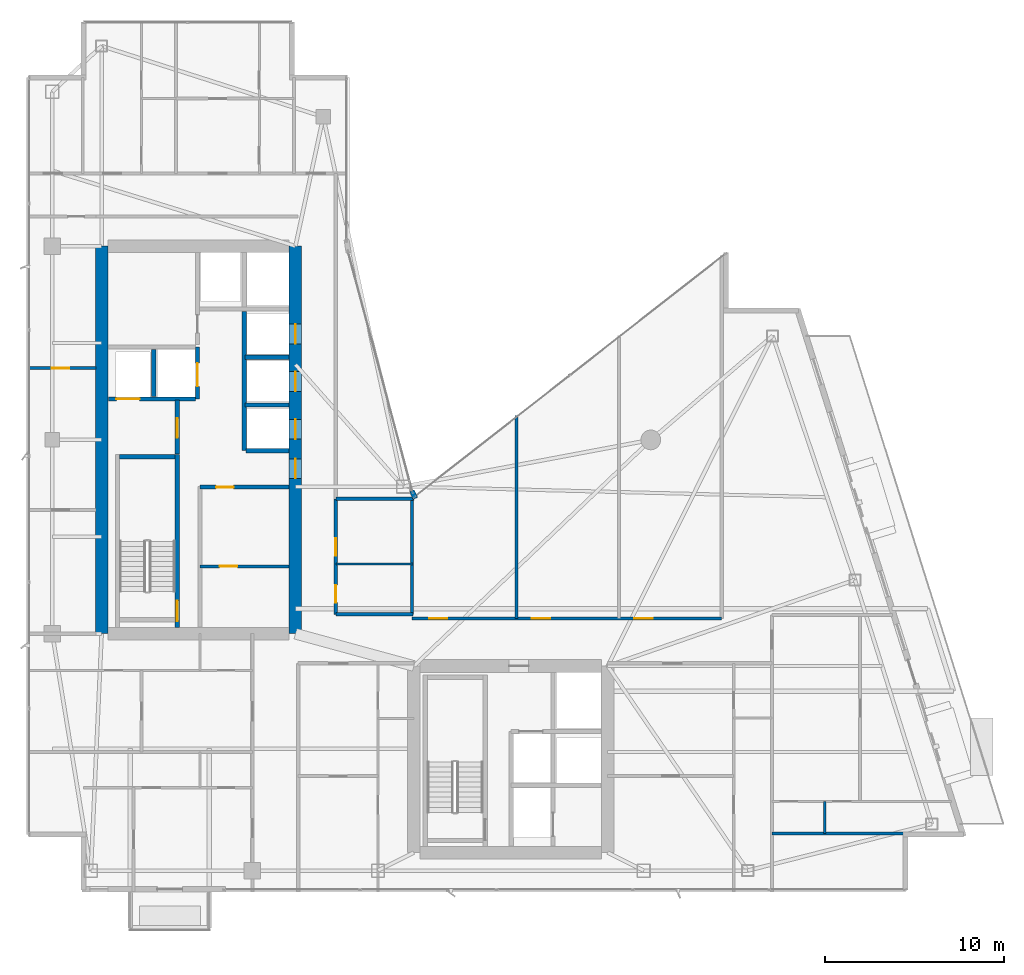
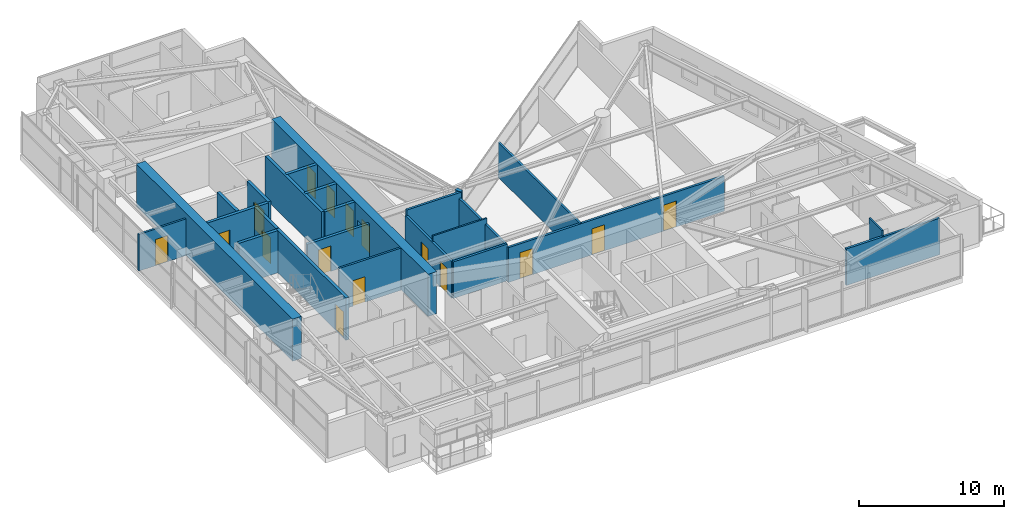
# One storey, part 24 of 29: 25 walls, 16 doors, 16 openings.
"""IFC4 building model written with IfcOpenShell, lengths in metres."""

from ifc_helpers import new_model, si_unit, direction, frame, frame_2d, origin, place, context, subcontext, project, spatial, rectangle, extrude, material, layer, layer_set, type_object, element, fill, save


model = new_model("IFC4")

# Units and contexts
model_context = context("Model", 3, precision=1e-05, world=origin(), true_north=direction((0.0, 1.0)))
body_context = subcontext(model_context, "Body", "Model", "MODEL_VIEW")
ifc_project = project(units=[si_unit("LENGTHUNIT", "METRE"), si_unit("AREAUNIT", "SQUARE_METRE"), si_unit("VOLUMEUNIT", "CUBIC_METRE"), si_unit("PLANEANGLEUNIT", "RADIAN"), si_unit("MASSUNIT", "GRAM", prefix="KILO")], contexts=[model_context])

# Site, building, storey
site_placement = place(None, origin())
site = spatial("IfcSite", under=ifc_project, at=site_placement, CompositionType="ELEMENT")
building_placement = place(site_placement, origin())
building = spatial("IfcBuilding", under=site, at=building_placement, Name="Calvorn Quay Hotel", CompositionType="ELEMENT")
storey_placement = place(building_placement, frame((0.0, 0.0, 199.60009765625)))
storey = spatial("IfcBuildingStorey", under=building, at=storey_placement, Name="L49", CompositionType="ELEMENT", Elevation=199.60009765625)

# Wall
ifc_material_1 = material(Name="Concrete C45", Category="concrete")
ifc_layer_1 = layer(ifc_material_1, 0.699951171875)
ifc_layer_set_1 = layer_set([ifc_layer_1], Name="WL-CORE-700")
wall_type_1 = type_object("IfcWallType", Name="WL-CORE-700", PredefinedType="SHEAR", material=ifc_layer_set_1)
wall_1_placement = place(storey_placement, frame((4.199951171875, 16.800048828125, 0.0), z_axis=(0.0, 0.0, 1.0), x_axis=(0.0, 1.0, 0.0)))
element("IfcWall", 1, at=wall_1_placement, inside=storey, type_object=wall_type_1, Name="West Core Shear Wall W (L49)", PredefinedType="SHEAR", context=body_context, shape_type="SweptSolid", body=[
    extrude(rectangle(XDim=21.599853515625, YDim=0.699951171875, at=frame_2d((10.7998046875, 0.0))), origin(), (0.0, 0.0, 1.0), 3.559814453125),
])

# Wall, openings, doors
wall_2_placement = place(storey_placement, frame((15.0, 16.800048828125, 0.0), z_axis=(0.0, 0.0, 1.0), x_axis=(0.0, 1.0, 0.0)))
wall_2 = element("IfcWall", 2, at=wall_2_placement, inside=storey, type_object=wall_type_1, Name="West Core Shear Wall E (L49)", PredefinedType="SHEAR", context=body_context, shape_type="SweptSolid", body=[
    extrude(rectangle(XDim=21.599853515625, YDim=0.699951171875, at=frame_2d((10.7998046875, 0.0))), origin(), (0.0, 0.0, 1.0), 3.559814453125),
])
opening_1_placement = place(wall_2_placement, frame((8.64990234375, 0.0, 0.0)))
opening_1 = element("IfcOpeningElement", 3, at=opening_1_placement, cuts=wall_2, Name="Opening D-L49-CW1", PredefinedType="OPENING", context=body_context, shape_type="SweptSolid", body=[
    extrude(rectangle(XDim=1.10009765625, YDim=2.199951171875, at=frame_2d((0.550048828125, 1.10009765625))), frame((0.0, 0.35986328125, 0.0), z_axis=(0.0, -1.0, 0.0), x_axis=(1.0, 0.0, 0.0)), (0.0, 0.0, 1.0), 0.719970703125),
])
opening_2_placement = place(wall_2_placement, frame((10.85009765625, 0.0, 0.0)))
opening_2 = element("IfcOpeningElement", 4, at=opening_2_placement, cuts=wall_2, Name="Opening LD-L49-M1", PredefinedType="OPENING", context=body_context, shape_type="SweptSolid", body=[
    extrude(rectangle(XDim=1.10009765625, YDim=2.199951171875, at=frame_2d((0.550048828125, 1.10009765625))), frame((0.0, 0.35986328125, 0.0), z_axis=(0.0, -1.0, 0.0), x_axis=(1.0, 0.0, 0.0)), (0.0, 0.0, 1.0), 0.719970703125),
])
opening_3_placement = place(wall_2_placement, frame((13.5, 0.0, 0.0)))
opening_3 = element("IfcOpeningElement", 5, at=opening_3_placement, cuts=wall_2, Name="Opening LD-L49-M2", PredefinedType="OPENING", context=body_context, shape_type="SweptSolid", body=[
    extrude(rectangle(XDim=1.10009765625, YDim=2.199951171875, at=frame_2d((0.550048828125, 1.10009765625))), frame((0.0, 0.35986328125, 0.0), z_axis=(0.0, -1.0, 0.0), x_axis=(1.0, 0.0, 0.0)), (0.0, 0.0, 1.0), 0.719970703125),
])
opening_4_placement = place(wall_2_placement, frame((16.14990234375, 0.0, 0.0)))
opening_4 = element("IfcOpeningElement", 6, at=opening_4_placement, cuts=wall_2, Name="Opening LD-L49-M3", PredefinedType="OPENING", context=body_context, shape_type="SweptSolid", body=[
    extrude(rectangle(XDim=1.10009765625, YDim=2.199951171875, at=frame_2d((0.550048828125, 1.10009765625))), frame((0.0, 0.35986328125, 0.0), z_axis=(0.0, -1.0, 0.0), x_axis=(1.0, 0.0, 0.0)), (0.0, 0.0, 1.0), 0.719970703125),
])
ifc_material_2 = material(Name="Smoke-Sealed Steel Class A Fire Door", Category="steel")
door_type_1 = type_object("IfcDoorType", Name="DR-FFLOBBY-1100", OperationType="NOTDEFINED", PredefinedType="DOOR", material=ifc_material_2)
door_1_placement = place(opening_1_placement, origin())
door_1 = element("IfcDoor", 7, at=door_1_placement, inside=storey, type_object=door_type_1, Name="West Core Vestibule Fire Door (L49)", OperationType="SINGLE_SWING_RIGHT", OverallHeight=2.199951171875, OverallWidth=1.10009765625, PredefinedType="DOOR", context=body_context, shape_type="SweptSolid", body=[
    extrude(rectangle(XDim=1.10009765625, YDim=2.199951171875, at=frame_2d((0.550048828125, 1.10009765625))), frame((0.0, 0.02490234375, 0.0), z_axis=(0.0, -1.0, 0.0), x_axis=(1.0, 0.0, 0.0)), (0.0, 0.0, 1.0), 0.050048828125),
])
fill(opening_1, door_1)
ifc_material_3 = material(Name="Brushed Stainless Steel Sliding Lift Landing Door", Category="steel")
door_type_2 = type_object("IfcDoorType", Name="DR-LIFT-PASS-1100", OperationType="NOTDEFINED", PredefinedType="DOOR", material=ifc_material_3)
door_2_placement = place(opening_2_placement, origin())
door_2 = element("IfcDoor", 8, at=door_2_placement, inside=storey, type_object=door_type_2, Name="Mid-Rise Lift PL-M1 Landing Door (L49)", OperationType="DOUBLE_DOOR_SLIDING", OverallHeight=2.199951171875, OverallWidth=1.10009765625, PredefinedType="DOOR", context=body_context, shape_type="SweptSolid", body=[
    extrude(rectangle(XDim=1.10009765625, YDim=2.199951171875, at=frame_2d((0.550048828125, 1.10009765625))), frame((0.0, 0.02490234375, 0.0), z_axis=(0.0, -1.0, 0.0), x_axis=(1.0, 0.0, 0.0)), (0.0, 0.0, 1.0), 0.050048828125),
])
fill(opening_2, door_2)
door_3_placement = place(opening_3_placement, origin())
door_3 = element("IfcDoor", 9, at=door_3_placement, inside=storey, type_object=door_type_2, Name="Mid-Rise Lift PL-M2 Landing Door (L49)", OperationType="DOUBLE_DOOR_SLIDING", OverallHeight=2.199951171875, OverallWidth=1.10009765625, PredefinedType="DOOR", context=body_context, shape_type="SweptSolid", body=[
    extrude(rectangle(XDim=1.10009765625, YDim=2.199951171875, at=frame_2d((0.550048828125, 1.10009765625))), frame((0.0, 0.02490234375, 0.0), z_axis=(0.0, -1.0, 0.0), x_axis=(1.0, 0.0, 0.0)), (0.0, 0.0, 1.0), 0.050048828125),
])
fill(opening_3, door_3)
door_4_placement = place(opening_4_placement, origin())
door_4 = element("IfcDoor", 10, at=door_4_placement, inside=storey, type_object=door_type_2, Name="Mid-Rise Lift PL-M3 Landing Door (L49)", OperationType="DOUBLE_DOOR_SLIDING", OverallHeight=2.199951171875, OverallWidth=1.10009765625, PredefinedType="DOOR", context=body_context, shape_type="SweptSolid", body=[
    extrude(rectangle(XDim=1.10009765625, YDim=2.199951171875, at=frame_2d((0.550048828125, 1.10009765625))), frame((0.0, 0.02490234375, 0.0), z_axis=(0.0, -1.0, 0.0), x_axis=(1.0, 0.0, 0.0)), (0.0, 0.0, 1.0), 0.050048828125),
])
fill(opening_4, door_4)

# Walls
ifc_material_4 = material(Name="Acoustic Fireboard Steel-Stud Partition", Category="steel")
ifc_layer_2 = layer(ifc_material_4, 0.179931640625)
ifc_layer_set_2 = layer_set([ifc_layer_2], Name="WL-CORR-FIRE-180")
wall_type_2 = type_object("IfcWallType", Name="WL-CORR-FIRE-180", PredefinedType="PARTITIONING", material=ifc_layer_set_2)
wall_3_placement = place(storey_placement, frame((17.25, 17.8798828125, 0.0), z_axis=(0.0, 0.0, 1.0), x_axis=(1.0, 0.0, 0.0)))
element("IfcWall", 11, at=wall_3_placement, inside=storey, type_object=wall_type_2, Name="Partition Wall L49-WL-HK-S", PredefinedType="PARTITIONING", context=body_context, shape_type="SweptSolid", body=[
    extrude(rectangle(XDim=4.300048828125, YDim=0.179931640625, at=frame_2d((2.14990234375, 0.0))), origin(), (0.0, 0.0, 1.0), 3.08984375),
])
wall_4_placement = place(storey_placement, frame((17.25, 24.320068359375, 0.0), z_axis=(0.0, 0.0, 1.0), x_axis=(1.0, 0.0, 0.0)))
element("IfcWall", 12, at=wall_4_placement, inside=storey, type_object=wall_type_2, Name="Partition Wall L49-WL-HK-N", PredefinedType="PARTITIONING", context=body_context, shape_type="SweptSolid", body=[
    extrude(rectangle(XDim=4.35009765625, YDim=0.179931640625, at=frame_2d((2.175048828125, 0.0))), origin(), (0.0, 0.0, 1.0), 3.559814453125),
])
wall_5_placement = place(storey_placement, frame((21.5, 17.8798828125, 0.0), z_axis=(0.0, 0.0, 1.0), x_axis=(0.0, 1.0, 0.0)))
element("IfcWall", 13, at=wall_5_placement, inside=storey, type_object=wall_type_2, Name="Partition Wall L49-WL-HK-E", PredefinedType="PARTITIONING", context=body_context, shape_type="SweptSolid", body=[
    extrude(rectangle(XDim=6.440185546875, YDim=0.179931640625, at=frame_2d((3.22021484375, 0.0))), origin(), (0.0, 0.0, 1.0), 3.08984375),
])

# Wall, openings, doors
wall_6_placement = place(storey_placement, frame((17.25, 17.8798828125, 0.0), z_axis=(0.0, 0.0, 1.0), x_axis=(0.0, 1.0, 0.0)))
wall_6 = element("IfcWall", 14, at=wall_6_placement, inside=storey, type_object=wall_type_2, Name="Partition Wall L49-WL-HK-W", PredefinedType="PARTITIONING", context=body_context, shape_type="SweptSolid", body=[
    extrude(rectangle(XDim=6.440185546875, YDim=0.179931640625, at=frame_2d((3.22021484375, 0.0))), origin(), (0.0, 0.0, 1.0), 3.08984375),
])
opening_5_placement = place(wall_6_placement, frame((0.64990234375, 0.0, 0.0)))
opening_5 = element("IfcOpeningElement", 15, at=opening_5_placement, cuts=wall_6, Name="Opening D-L49-HK", PredefinedType="OPENING", context=body_context, shape_type="SweptSolid", body=[
    extrude(rectangle(XDim=0.97998046875, YDim=2.14990234375, at=frame_2d((0.489990234375, 1.074951171875))), frame((0.0, 0.099853515625, 0.0), z_axis=(0.0, -1.0, 0.0), x_axis=(1.0, 0.0, 0.0)), (0.0, 0.0, 1.0), 0.199951171875),
])
opening_6_placement = place(wall_6_placement, frame((3.27001953125, 0.0, 0.0)))
opening_6 = element("IfcOpeningElement", 16, at=opening_6_placement, cuts=wall_6, Name="Opening D-L49-NCP", PredefinedType="OPENING", context=body_context, shape_type="SweptSolid", body=[
    extrude(rectangle(XDim=0.9599609375, YDim=2.199951171875, at=frame_2d((0.47998046875, 1.10009765625))), frame((0.0, 0.099853515625, 0.0), z_axis=(0.0, -1.0, 0.0), x_axis=(1.0, 0.0, 0.0)), (0.0, 0.0, 1.0), 0.199951171875),
])
ifc_material_5 = material(Name="Painted Steel Housekeeping/Riser Fire Door", Category="steel")
door_type_3 = type_object("IfcDoorType", Name="DR-SERVICE-980", OperationType="NOTDEFINED", PredefinedType="DOOR", material=ifc_material_5)
door_5_placement = place(opening_5_placement, origin())
door_5 = element("IfcDoor", 17, at=door_5_placement, inside=storey, type_object=door_type_3, Name="Floor Housekeeping Door (L49)", OperationType="SINGLE_SWING_LEFT", OverallHeight=2.14990234375, OverallWidth=0.97998046875, PredefinedType="DOOR", context=body_context, shape_type="SweptSolid", body=[
    extrude(rectangle(XDim=0.97998046875, YDim=2.14990234375, at=frame_2d((0.489990234375, 1.074951171875))), frame((0.0, 0.02490234375, 0.0), z_axis=(0.0, -1.0, 0.0), x_axis=(1.0, 0.0, 0.0)), (0.0, 0.0, 1.0), 0.050048828125),
])
fill(opening_5, door_5)
ifc_material_6 = material(Name="Solid Timber Internal Suite Door", Category="wood")
door_type_4 = type_object("IfcDoorType", Name="DR-SUITE-INT-960", OperationType="NOTDEFINED", PredefinedType="DOOR", material=ifc_material_6)
door_6_placement = place(opening_6_placement, origin())
door_6 = element("IfcDoor", 18, at=door_6_placement, inside=storey, type_object=door_type_4, Name="Reading Alcove Door (L49)", OperationType="SINGLE_SWING_RIGHT", OverallHeight=2.199951171875, OverallWidth=0.9599609375, PredefinedType="DOOR", context=body_context, shape_type="SweptSolid", body=[
    extrude(rectangle(XDim=0.9599609375, YDim=2.199951171875, at=frame_2d((0.47998046875, 1.10009765625))), frame((0.0, 0.02490234375, 0.0), z_axis=(0.0, -1.0, 0.0), x_axis=(1.0, 0.0, 0.0)), (0.0, 0.0, 1.0), 0.050048828125),
])
fill(opening_6, door_6)

wall_7_placement = place(storey_placement, frame((21.5, 17.64990234375, 0.0), z_axis=(0.0, 0.0, 1.0), x_axis=(1.0, 0.0, 0.0)))
wall_7 = element("IfcWall", 19, at=wall_7_placement, inside=storey, type_object=wall_type_2, Name="Partition Wall L49-WL-CORR-NE-N", PredefinedType="PARTITIONING", context=body_context, shape_type="SweptSolid", body=[
    extrude(rectangle(XDim=17.25, YDim=0.179931640625, at=frame_2d((8.625, 0.0))), origin(), (0.0, 0.0, 1.0), 2.93994140625),
])
opening_7_placement = place(wall_7_placement, frame((0.949951171875, 0.0, 0.0)))
opening_7 = element("IfcOpeningElement", 20, at=opening_7_placement, cuts=wall_7, Name="Opening D-L49-NS1", PredefinedType="OPENING", context=body_context, shape_type="SweptSolid", body=[
    extrude(rectangle(XDim=1.02001953125, YDim=2.199951171875, at=frame_2d((0.510009765625, 1.10009765625))), frame((0.0, 0.099853515625, 0.0), z_axis=(0.0, -1.0, 0.0), x_axis=(1.0, 0.0, 0.0)), (0.0, 0.0, 1.0), 0.199951171875),
])
opening_8_placement = place(wall_7_placement, frame((6.669921875, 0.0, 0.0)))
opening_8 = element("IfcOpeningElement", 21, at=opening_8_placement, cuts=wall_7, Name="Opening D-L49-NS2", PredefinedType="OPENING", context=body_context, shape_type="SweptSolid", body=[
    extrude(rectangle(XDim=1.02001953125, YDim=2.199951171875, at=frame_2d((0.510009765625, 1.10009765625))), frame((0.0, 0.099853515625, 0.0), z_axis=(0.0, -1.0, 0.0), x_axis=(1.0, 0.0, 0.0)), (0.0, 0.0, 1.0), 0.199951171875),
])
opening_9_placement = place(wall_7_placement, frame((12.3798828125, 0.0, 0.0)))
opening_9 = element("IfcOpeningElement", 22, at=opening_9_placement, cuts=wall_7, Name="Opening D-L49-NS3", PredefinedType="OPENING", context=body_context, shape_type="SweptSolid", body=[
    extrude(rectangle(XDim=1.02001953125, YDim=2.199951171875, at=frame_2d((0.510009765625, 1.10009765625))), frame((0.0, 0.099853515625, 0.0), z_axis=(0.0, -1.0, 0.0), x_axis=(1.0, 0.0, 0.0)), (0.0, 0.0, 1.0), 0.199951171875),
])
ifc_material_7 = material(Name="Solid-Core Walnut Veneer Hotel Fire Door")
door_type_5 = type_object("IfcDoorType", Name="DR-GUEST-ENTRY-1020", OperationType="NOTDEFINED", PredefinedType="DOOR", material=ifc_material_7)
door_7_placement = place(opening_7_placement, origin())
door_7 = element("IfcDoor", 23, at=door_7_placement, inside=storey, type_object=door_type_5, Name="Conservatory Salon Door 1 (L49)", OperationType="SINGLE_SWING_RIGHT", OverallHeight=2.199951171875, OverallWidth=1.02001953125, PredefinedType="DOOR", context=body_context, shape_type="SweptSolid", body=[
    extrude(rectangle(XDim=1.02001953125, YDim=2.199951171875, at=frame_2d((0.510009765625, 1.10009765625))), frame((0.0, 0.02490234375, 0.0), z_axis=(0.0, -1.0, 0.0), x_axis=(1.0, 0.0, 0.0)), (0.0, 0.0, 1.0), 0.050048828125),
])
fill(opening_7, door_7)
door_8_placement = place(opening_8_placement, origin())
door_8 = element("IfcDoor", 24, at=door_8_placement, inside=storey, type_object=door_type_5, Name="Conservatory Salon Door 2 (L49)", OperationType="SINGLE_SWING_LEFT", OverallHeight=2.199951171875, OverallWidth=1.02001953125, PredefinedType="DOOR", context=body_context, shape_type="SweptSolid", body=[
    extrude(rectangle(XDim=1.02001953125, YDim=2.199951171875, at=frame_2d((0.510009765625, 1.10009765625))), frame((0.0, 0.02490234375, 0.0), z_axis=(0.0, -1.0, 0.0), x_axis=(1.0, 0.0, 0.0)), (0.0, 0.0, 1.0), 0.050048828125),
])
fill(opening_8, door_8)
door_9_placement = place(opening_9_placement, origin())
door_9 = element("IfcDoor", 25, at=door_9_placement, inside=storey, type_object=door_type_5, Name="Conservatory Salon Door 3 (L49)", OperationType="SINGLE_SWING_RIGHT", OverallHeight=2.199951171875, OverallWidth=1.02001953125, PredefinedType="DOOR", context=body_context, shape_type="SweptSolid", body=[
    extrude(rectangle(XDim=1.02001953125, YDim=2.199951171875, at=frame_2d((0.510009765625, 1.10009765625))), frame((0.0, 0.02490234375, 0.0), z_axis=(0.0, -1.0, 0.0), x_axis=(1.0, 0.0, 0.0)), (0.0, 0.0, 1.0), 0.050048828125),
])
fill(opening_9, door_9)

# Walls
wall_8_placement = place(storey_placement, frame((41.550048828125, 5.659912109375, 0.0), z_axis=(0.0, 0.0, 1.0), x_axis=(1.0, 0.0, 0.0)))
element("IfcWall", 26, at=wall_8_placement, inside=storey, type_object=wall_type_2, Name="Partition Wall L49-WL-TIP-S", PredefinedType="PARTITIONING", context=body_context, shape_type="SweptSolid", body=[
    extrude(rectangle(XDim=7.449951171875, YDim=0.179931640625, at=frame_2d((3.72509765625, 0.0))), origin(), (0.0, 0.0, 1.0), 3.08984375),
])
ifc_material_8 = material(Name="Moisture-Resistant Tile-Backed Partition")
ifc_layer_3 = layer(ifc_material_8, 0.125)
ifc_layer_set_3 = layer_set([ifc_layer_3], Name="WL-ENSUITE-125")
wall_type_3 = type_object("IfcWallType", Name="WL-ENSUITE-125", PredefinedType="PARTITIONING", material=ifc_layer_set_3)
wall_9_placement = place(storey_placement, frame((17.25, 20.679931640625, 0.0), z_axis=(0.0, 0.0, 1.0), x_axis=(1.0, 0.0, 0.0)))
element("IfcWall", 27, at=wall_9_placement, inside=storey, type_object=wall_type_3, Name="Partition Wall L49-WL-HK-M", PredefinedType="PARTITIONING", context=body_context, shape_type="SweptSolid", body=[
    extrude(rectangle(XDim=4.300048828125, YDim=0.125, at=frame_2d((2.14990234375, 0.0))), origin(), (0.0, 0.0, 1.0), 3.559814453125),
])
wall_10_placement = place(storey_placement, frame((44.5, 5.659912109375, 0.0), z_axis=(0.0, 0.0, 1.0), x_axis=(0.0, 1.0, 0.0)))
element("IfcWall", 28, at=wall_10_placement, inside=storey, type_object=wall_type_3, Name="Partition Wall L49-WL-U07-BDV", PredefinedType="PARTITIONING", context=body_context, shape_type="SweptSolid", body=[
    extrude(rectangle(XDim=1.7900390625, YDim=0.125, at=frame_2d((0.89501953125, 0.0))), origin(), (0.0, 0.0, 1.0), 3.559814453125),
])
ifc_material_9 = material(Name="Concrete C40", Category="concrete")
ifc_layer_4 = layer(ifc_material_9, 0.320068359375)
ifc_layer_set_4 = layer_set([ifc_layer_4], Name="WL-EXT-SPANDREL-320")
wall_type_4 = type_object("IfcWallType", Name="WL-EXT-SPANDREL-320", PredefinedType="SOLIDWALL", material=ifc_layer_set_4)
wall_11_placement = place(storey_placement, frame((21.679931640625, 24.340087890625, 0.0), z_axis=(0.0, 0.0, 1.0), x_axis=(-0.40758134973, 0.913168901875, 0.0)))
element("IfcWall", 29, at=wall_11_placement, inside=storey, type_object=wall_type_4, Name="Inner Court Corner Pier L49-ICJ1", PredefinedType="SOLIDWALL", context=body_context, shape_type="SweptSolid", body=[
    extrude(rectangle(XDim=0.470703125, YDim=0.280029296875, at=frame_2d((0.2353515625, 0.0))), origin(), (0.0, 0.0, 1.0), 3.559814453125),
])

# Wall, opening, door
ifc_material_10 = material(Name="Double-Stud Acoustic Gypsum Partition")
ifc_layer_5 = layer(ifc_material_10, 0.159912109375)
ifc_layer_set_5 = layer_set([ifc_layer_5], Name="WL-INTERSUITE-160")
wall_type_5 = type_object("IfcWallType", Name="WL-INTERSUITE-160", PredefinedType="PARTITIONING", material=ifc_layer_set_5)
wall_12_placement = place(storey_placement, frame((9.679931640625, 20.550048828125, 0.0), z_axis=(0.0, 0.0, 1.0), x_axis=(1.0, 0.0, 0.0)))
wall_12 = element("IfcWall", 30, at=wall_12_placement, inside=storey, type_object=wall_type_5, Name="Partition Wall L49-WL-CWW-FR-SPLIT", PredefinedType="PARTITIONING", context=body_context, shape_type="SweptSolid", body=[
    extrude(rectangle(XDim=4.949951171875, YDim=0.159912109375, at=frame_2d((2.47509765625, 0.0))), origin(), (0.0, 0.0, 1.0), 3.559814453125),
])
opening_10_placement = place(wall_12_placement, frame((1.10009765625, 0.0, 0.0)))
opening_10 = element("IfcOpeningElement", 31, at=opening_10_placement, cuts=wall_12, Name="Opening D-L49-FRL1", PredefinedType="OPENING", context=body_context, shape_type="SweptSolid", body=[
    extrude(rectangle(XDim=0.97998046875, YDim=2.14990234375, at=frame_2d((0.489990234375, 1.074951171875))), frame((0.0, 0.08984375, 0.0), z_axis=(0.0, -1.0, 0.0), x_axis=(1.0, 0.0, 0.0)), (0.0, 0.0, 1.0), 0.179931640625),
])
door_10_placement = place(opening_10_placement, origin())
door_10 = element("IfcDoor", 32, at=door_10_placement, inside=storey, type_object=door_type_3, Name="Linen Store Room Door (L49)", OperationType="SINGLE_SWING_LEFT", OverallHeight=2.14990234375, OverallWidth=0.97998046875, PredefinedType="DOOR", context=body_context, shape_type="SweptSolid", body=[
    extrude(rectangle(XDim=0.97998046875, YDim=2.14990234375, at=frame_2d((0.489990234375, 1.074951171875))), frame((0.0, 0.02490234375, 0.0), z_axis=(0.0, -1.0, 0.0), x_axis=(1.0, 0.0, 0.0)), (0.0, 0.0, 1.0), 0.050048828125),
])
fill(opening_10, door_10)

wall_13_placement = place(storey_placement, frame((0.080078125, 31.60009765625, 0.0), z_axis=(0.0, 0.0, 1.0), x_axis=(1.0, 0.0, 0.0)))
wall_13 = element("IfcWall", 33, at=wall_13_placement, inside=storey, type_object=wall_type_5, Name="Partition Wall L49-WL-WBAY-DIVB", PredefinedType="PARTITIONING", context=body_context, shape_type="SweptSolid", body=[
    extrude(rectangle(XDim=3.7998046875, YDim=0.159912109375, at=frame_2d((1.89990234375, 0.0))), origin(), (0.0, 0.0, 1.0), 3.08984375),
])
opening_11_placement = place(wall_13_placement, frame((1.35009765625, 0.0, 0.0)))
opening_11 = element("IfcOpeningElement", 34, at=opening_11_placement, cuts=wall_13, Name="Opening D-L49-WBB", PredefinedType="OPENING", context=body_context, shape_type="SweptSolid", body=[
    extrude(rectangle(XDim=0.9599609375, YDim=2.199951171875, at=frame_2d((0.47998046875, 1.10009765625))), frame((0.0, 0.08984375, 0.0), z_axis=(0.0, -1.0, 0.0), x_axis=(1.0, 0.0, 0.0)), (0.0, 0.0, 1.0), 0.179931640625),
])
door_11_placement = place(opening_11_placement, origin())
door_11 = element("IfcDoor", 35, at=door_11_placement, inside=storey, type_object=door_type_4, Name="West North Connecting Door (L49)", OperationType="SINGLE_SWING_RIGHT", OverallHeight=2.199951171875, OverallWidth=0.9599609375, PredefinedType="DOOR", context=body_context, shape_type="SweptSolid", body=[
    extrude(rectangle(XDim=0.9599609375, YDim=2.199951171875, at=frame_2d((0.47998046875, 1.10009765625))), frame((0.0, 0.02490234375, 0.0), z_axis=(0.0, -1.0, 0.0), x_axis=(1.0, 0.0, 0.0)), (0.0, 0.0, 1.0), 0.050048828125),
])
fill(opening_11, door_11)

# Wall
wall_14_placement = place(storey_placement, frame((27.320068359375, 17.64990234375, 0.0), z_axis=(0.0, 0.0, 1.0), x_axis=(0.0, 1.0, 0.0)))
element("IfcWall", 36, at=wall_14_placement, inside=storey, type_object=wall_type_5, Name="Partition Wall L49-WL-NE-DIV-1", PredefinedType="PARTITIONING", context=body_context, shape_type="SweptSolid", body=[
    extrude(rectangle(XDim=11.300048828125, YDim=0.159912109375, at=frame_2d((5.64990234375, 0.0))), origin(), (0.0, 0.0, 1.0), 2.93994140625),
])

# Wall, opening, door
ifc_material_11 = material(Name="Autoclaved Aerated Masonry Block", Category="masonry")
ifc_layer_6 = layer(ifc_material_11, 0.219970703125)
ifc_layer_set_6 = layer_set([ifc_layer_6], Name="WL-LOBBY-FIRE-220")
wall_type_6 = type_object("IfcWallType", Name="WL-LOBBY-FIRE-220", PredefinedType="SOLIDWALL", material=ifc_layer_set_6)
wall_15_placement = place(storey_placement, frame((9.679931640625, 24.969970703125, 0.0), z_axis=(0.0, 0.0, 1.0), x_axis=(1.0, 0.0, 0.0)))
wall_15 = element("IfcWall", 37, at=wall_15_placement, inside=storey, type_object=wall_type_6, Name="Partition Wall L49-WL-CWW-FR-N", PredefinedType="SOLIDWALL", context=body_context, shape_type="SweptSolid", body=[
    extrude(rectangle(XDim=4.949951171875, YDim=0.219970703125, at=frame_2d((2.47509765625, 0.0))), origin(), (0.0, 0.0, 1.0), 2.93994140625),
])
opening_12_placement = place(wall_15_placement, frame((0.89990234375, 0.0, 0.0)))
opening_12 = element("IfcOpeningElement", 38, at=opening_12_placement, cuts=wall_15, Name="Opening D-L49-FRL2", PredefinedType="OPENING", context=body_context, shape_type="SweptSolid", body=[
    extrude(rectangle(XDim=0.97998046875, YDim=2.14990234375, at=frame_2d((0.489990234375, 1.074951171875))), frame((0.0, 0.119873046875, 0.0), z_axis=(0.0, -1.0, 0.0), x_axis=(1.0, 0.0, 0.0)), (0.0, 0.0, 1.0), 0.239990234375),
])
door_12_placement = place(opening_12_placement, origin())
door_12 = element("IfcDoor", 39, at=door_12_placement, inside=storey, type_object=door_type_3, Name="Beverage Pantry Door (L49)", OperationType="SINGLE_SWING_RIGHT", OverallHeight=2.14990234375, OverallWidth=0.97998046875, PredefinedType="DOOR", context=body_context, shape_type="SweptSolid", body=[
    extrude(rectangle(XDim=0.97998046875, YDim=2.14990234375, at=frame_2d((0.489990234375, 1.074951171875))), frame((0.0, 0.02490234375, 0.0), z_axis=(0.0, -1.0, 0.0), x_axis=(1.0, 0.0, 0.0)), (0.0, 0.0, 1.0), 0.050048828125),
])
fill(opening_12, door_12)

ifc_material_12 = material(Name="Concrete C40", Category="concrete")
ifc_layer_7 = layer(ifc_material_12, 0.239990234375)
ifc_layer_set_7 = layer_set([ifc_layer_7], Name="WL-SHAFT-240")
wall_type_7 = type_object("IfcWallType", Name="WL-SHAFT-240", PredefinedType="SOLIDWALL", material=ifc_layer_set_7)
wall_16_placement = place(storey_placement, frame((8.419921875, 17.14990234375, 0.0), z_axis=(0.0, 0.0, 1.0), x_axis=(0.0, 1.0, 0.0)))
wall_16 = element("IfcWall", 40, at=wall_16_placement, inside=storey, type_object=wall_type_7, Name="Stair STW Shaft Wall E (L49)", PredefinedType="SOLIDWALL", context=body_context, shape_type="SweptSolid", body=[
    extrude(rectangle(XDim=9.64013671875, YDim=0.239990234375, at=frame_2d((4.820068359375, 0.0))), origin(), (0.0, 0.0, 1.0), 3.559814453125),
])
opening_13_placement = place(wall_16_placement, frame((0.35009765625, 0.0, 0.0)))
opening_13 = element("IfcOpeningElement", 41, at=opening_13_placement, cuts=wall_16, Name="Opening D-L49-STW", PredefinedType="OPENING", context=body_context, shape_type="SweptSolid", body=[
    extrude(rectangle(XDim=1.14990234375, YDim=2.199951171875, at=frame_2d((0.574951171875, 1.10009765625))), frame((0.0, 0.1298828125, 0.0), z_axis=(0.0, -1.0, 0.0), x_axis=(1.0, 0.0, 0.0)), (0.0, 0.0, 1.0), 0.260009765625),
])
ifc_material_13 = material(Name="Galvanised Steel Class A Fire Door", Category="steel")
door_type_6 = type_object("IfcDoorType", Name="DR-STAIR-SMOKE-1150", OperationType="NOTDEFINED", PredefinedType="DOOR", material=ifc_material_13)
door_13_placement = place(opening_13_placement, origin())
door_13 = element("IfcDoor", 42, at=door_13_placement, inside=storey, type_object=door_type_6, Name="Stair ST-W Fire Door (L49)", OperationType="SINGLE_SWING_LEFT", OverallHeight=2.199951171875, OverallWidth=1.14990234375, PredefinedType="DOOR", context=body_context, shape_type="SweptSolid", body=[
    extrude(rectangle(XDim=1.14990234375, YDim=2.199951171875, at=frame_2d((0.574951171875, 1.10009765625))), frame((0.0, 0.02490234375, 0.0), z_axis=(0.0, -1.0, 0.0), x_axis=(1.0, 0.0, 0.0)), (0.0, 0.0, 1.0), 0.050048828125),
])
fill(opening_13, door_13)

# Walls
wall_17_placement = place(storey_placement, frame((5.199951171875, 26.669921875, 0.0), z_axis=(0.0, 0.0, 1.0), x_axis=(1.0, 0.0, 0.0)))
element("IfcWall", 43, at=wall_17_placement, inside=storey, type_object=wall_type_7, Name="Stair STW Shaft Wall N (L49)", PredefinedType="SOLIDWALL", context=body_context, shape_type="SweptSolid", body=[
    extrude(rectangle(XDim=3.10009765625, YDim=0.239990234375, at=frame_2d((1.550048828125, 0.0))), origin(), (0.0, 0.0, 1.0), 3.559814453125),
])
for number, where, z_axis, x_axis, name in (
    (44, (12.179931640625, 29.550048828125, 0.0), (0.0, 0.0, 1.0), (1.0, 0.0, 0.0), "Lift Hoistway Divider Wall PLM12 (L49)"),
    (45, (12.179931640625, 32.199951171875, 0.0), (0.0, 0.0, 1.0), (1.0, 0.0, 0.0), "Lift Hoistway Divider Wall PLM23 (L49)"),
):
    element("IfcWall", number, at=place(storey_placement, frame(where, z_axis=z_axis, x_axis=x_axis)), inside=storey, type_object=wall_type_7, Name=name, PredefinedType="SOLIDWALL", context=body_context, shape_type="SweptSolid", body=[
        extrude(rectangle(XDim=2.469970703125, YDim=0.239990234375, at=frame_2d((1.23486328125, 0.0))), origin(), (0.0, 0.0, 1.0), 3.559814453125),
    ])

# Wall, opening, door
wall_18_placement = place(storey_placement, frame((8.419921875, 26.820068359375, 0.0), z_axis=(0.0, 0.0, 1.0), x_axis=(0.0, 1.0, 0.0)))
wall_18 = element("IfcWall", 46, at=wall_18_placement, inside=storey, type_object=wall_type_7, Name="Partition Wall L49-WL-CWW-FFL-E", PredefinedType="SOLIDWALL", context=body_context, shape_type="SweptSolid", body=[
    extrude(rectangle(XDim=3.0, YDim=0.239990234375, at=frame_2d((1.5, 0.0))), origin(), (0.0, 0.0, 1.0), 3.559814453125),
])
opening_14_placement = place(wall_18_placement, frame((0.89990234375, 0.0, 0.0)))
opening_14 = element("IfcOpeningElement", 47, at=opening_14_placement, cuts=wall_18, Name="Opening D-L49-FLW", PredefinedType="OPENING", context=body_context, shape_type="SweptSolid", body=[
    extrude(rectangle(XDim=1.10009765625, YDim=2.199951171875, at=frame_2d((0.550048828125, 1.10009765625))), frame((0.0, 0.1298828125, 0.0), z_axis=(0.0, -1.0, 0.0), x_axis=(1.0, 0.0, 0.0)), (0.0, 0.0, 1.0), 0.260009765625),
])
door_14_placement = place(opening_14_placement, origin())
door_14 = element("IfcDoor", 48, at=door_14_placement, inside=storey, type_object=door_type_1, Name="West Firefighting Lobby Fire Door (L49)", OperationType="SINGLE_SWING_RIGHT", OverallHeight=2.199951171875, OverallWidth=1.10009765625, PredefinedType="DOOR", context=body_context, shape_type="SweptSolid", body=[
    extrude(rectangle(XDim=1.10009765625, YDim=2.199951171875, at=frame_2d((0.550048828125, 1.10009765625))), frame((0.0, 0.02490234375, 0.0), z_axis=(0.0, -1.0, 0.0), x_axis=(1.0, 0.0, 0.0)), (0.0, 0.0, 1.0), 0.050048828125),
])
fill(opening_14, door_14)

wall_19_placement = place(storey_placement, frame((4.570068359375, 29.8798828125, 0.0), z_axis=(0.0, 0.0, 1.0), x_axis=(1.0, 0.0, 0.0)))
wall_19 = element("IfcWall", 49, at=wall_19_placement, inside=storey, type_object=wall_type_7, Name="Partition Wall L49-WL-CWW-FLW-S", PredefinedType="SOLIDWALL", context=body_context, shape_type="SweptSolid", body=[
    extrude(rectangle(XDim=4.849853515625, YDim=0.239990234375, at=frame_2d((2.4248046875, 0.0))), origin(), (0.0, 0.0, 1.0), 3.559814453125),
])
opening_15_placement = place(wall_19_placement, frame((0.449951171875, 0.0, 0.0)))
opening_15 = element("IfcOpeningElement", 50, at=opening_15_placement, cuts=wall_19, Name="Opening LD-L49-FLW1", PredefinedType="OPENING", context=body_context, shape_type="SweptSolid", body=[
    extrude(rectangle(XDim=1.300048828125, YDim=2.35009765625, at=frame_2d((0.64990234375, 1.175048828125))), frame((0.0, 0.1298828125, 0.0), z_axis=(0.0, -1.0, 0.0), x_axis=(1.0, 0.0, 0.0)), (0.0, 0.0, 1.0), 0.260009765625),
])
ifc_material_14 = material(Name="Champagne-Bronze Sliding Express Lift Landing Door")
door_type_7 = type_object("IfcDoorType", Name="DR-LIFT-SHUTTLE-1300", OperationType="NOTDEFINED", PredefinedType="DOOR", material=ifc_material_14)
door_15_placement = place(opening_15_placement, origin())
door_15 = element("IfcDoor", 51, at=door_15_placement, inside=storey, type_object=door_type_7, Name="Firefighting Lift FL-W1 Landing Door (L49)", OperationType="DOUBLE_DOOR_SLIDING", OverallHeight=2.35009765625, OverallWidth=1.300048828125, PredefinedType="DOOR", context=body_context, shape_type="SweptSolid", body=[
    extrude(rectangle(XDim=1.300048828125, YDim=2.35009765625, at=frame_2d((0.64990234375, 1.175048828125))), frame((0.0, 0.02490234375, 0.0), z_axis=(0.0, -1.0, 0.0), x_axis=(1.0, 0.0, 0.0)), (0.0, 0.0, 1.0), 0.050048828125),
])
fill(opening_15, door_15)

# Wall
wall_20_placement = place(storey_placement, frame((7.10009765625, 30.02001953125, 0.0), z_axis=(0.0, 0.0, 1.0), x_axis=(0.0, 1.0, 0.0)))
element("IfcWall", 52, at=wall_20_placement, inside=storey, type_object=wall_type_7, Name="Partition Wall L49-WL-CWW-FLW-DIV", PredefinedType="SOLIDWALL", context=body_context, shape_type="SweptSolid", body=[
    extrude(rectangle(XDim=2.6298828125, YDim=0.239990234375, at=frame_2d((1.31494140625, 0.0))), origin(), (0.0, 0.0, 1.0), 3.559814453125),
])

# Wall, opening, door
wall_21_placement = place(storey_placement, frame((9.5400390625, 29.8798828125, 0.0), z_axis=(0.0, 0.0, 1.0), x_axis=(0.0, 1.0, 0.0)))
wall_21 = element("IfcWall", 53, at=wall_21_placement, inside=storey, type_object=wall_type_7, Name="Partition Wall L49-WL-CWW-SLW-E", PredefinedType="SOLIDWALL", context=body_context, shape_type="SweptSolid", body=[
    extrude(rectangle(XDim=2.900146484375, YDim=0.239990234375, at=frame_2d((1.4501953125, 0.0))), origin(), (0.0, 0.0, 1.0), 3.559814453125),
])
opening_16_placement = place(wall_21_placement, frame((0.699951171875, 0.0, 0.0)))
opening_16 = element("IfcOpeningElement", 54, at=opening_16_placement, cuts=wall_21, Name="Opening LD-L49-SLW1", PredefinedType="OPENING", context=body_context, shape_type="SweptSolid", body=[
    extrude(rectangle(XDim=1.300048828125, YDim=2.35009765625, at=frame_2d((0.64990234375, 1.175048828125))), frame((0.0, 0.1298828125, 0.0), z_axis=(0.0, -1.0, 0.0), x_axis=(1.0, 0.0, 0.0)), (0.0, 0.0, 1.0), 0.260009765625),
])
door_16_placement = place(opening_16_placement, origin())
door_16 = element("IfcDoor", 55, at=door_16_placement, inside=storey, type_object=door_type_7, Name="Service Lift SL-W1 Landing Door (L49)", OperationType="DOUBLE_DOOR_SLIDING", OverallHeight=2.35009765625, OverallWidth=1.300048828125, PredefinedType="DOOR", context=body_context, shape_type="SweptSolid", body=[
    extrude(rectangle(XDim=1.300048828125, YDim=2.35009765625, at=frame_2d((0.64990234375, 1.175048828125))), frame((0.0, 0.02490234375, 0.0), z_axis=(0.0, -1.0, 0.0), x_axis=(1.0, 0.0, 0.0)), (0.0, 0.0, 1.0), 0.050048828125),
])
fill(opening_16, door_16)

# Walls
wall_22_placement = place(storey_placement, frame((12.25, 27.0, 0.0), z_axis=(0.0, 0.0, 1.0), x_axis=(1.0, 0.0, 0.0)))
element("IfcWall", 56, at=wall_22_placement, inside=storey, type_object=wall_type_7, Name="Partition Wall L49-WL-CWW-PLM-S", PredefinedType="SOLIDWALL", context=body_context, shape_type="SweptSolid", body=[
    extrude(rectangle(XDim=2.3798828125, YDim=0.239990234375, at=frame_2d((1.18994140625, 0.0))), origin(), (0.0, 0.0, 1.0), 3.559814453125),
])
wall_23_placement = place(storey_placement, frame((12.14990234375, 27.0, 0.0), z_axis=(0.0, 0.0, 1.0), x_axis=(0.0, 1.0, 0.0)))
element("IfcWall", 57, at=wall_23_placement, inside=storey, type_object=wall_type_7, Name="Partition Wall L49-WL-CWW-PLM-W", PredefinedType="SOLIDWALL", context=body_context, shape_type="SweptSolid", body=[
    extrude(rectangle(XDim=7.75, YDim=0.239990234375, at=frame_2d((3.875, 0.0))), origin(), (0.0, 0.0, 1.0), 3.559814453125),
])

save(model, "model.ifc")
